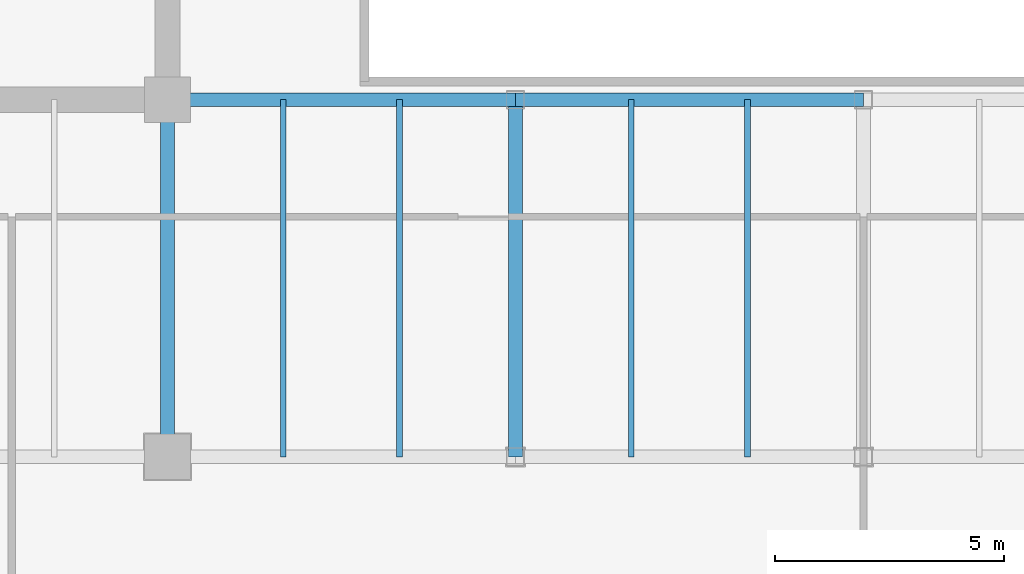
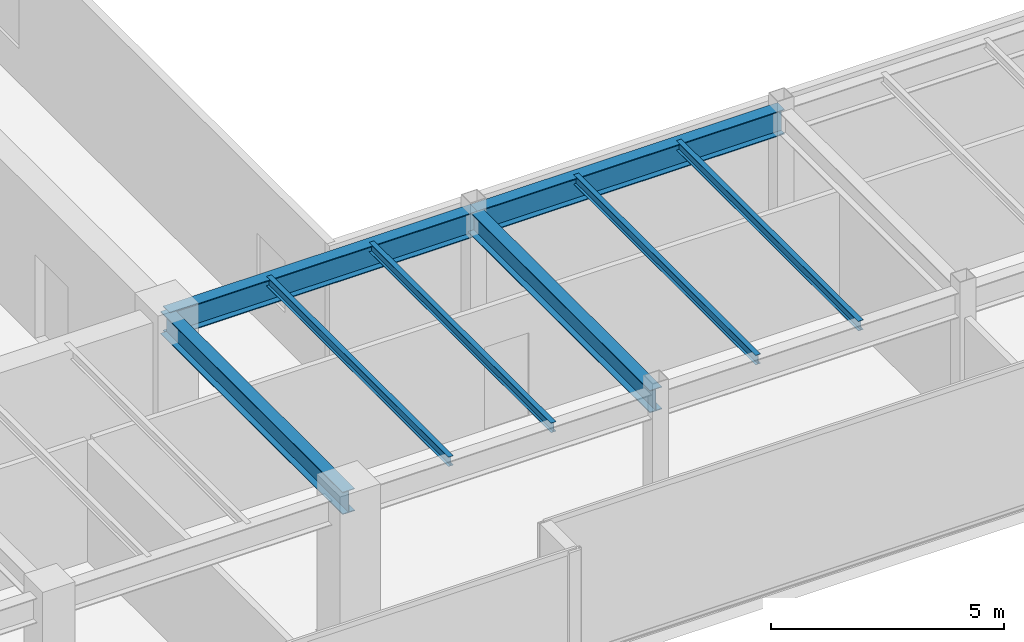
# One storey, part 8 of 36: 8 beams.
"""IFC4 building model written with IfcOpenShell, lengths in metres."""

from ifc_helpers import new_model, si_unit, direction, frame, origin, origin_2d, place, context, subcontext, project, spatial, i_section, extrude, source, transform, mapped, material, material_profile, profile_set, type_object, type_shapes, element, save


model = new_model("IFC4")

# Units and contexts
model_context = context("Model", 3, precision=1e-05, world=origin(), true_north=direction((0.0, 1.0)))
body_context = subcontext(model_context, "Body", "Model", "MODEL_VIEW")
ifc_project = project(units=[si_unit("LENGTHUNIT", "METRE"), si_unit("AREAUNIT", "SQUARE_METRE"), si_unit("VOLUMEUNIT", "CUBIC_METRE"), si_unit("PLANEANGLEUNIT", "RADIAN"), si_unit("MASSUNIT", "GRAM", prefix="KILO")], contexts=[model_context])

# Site, building, storey
site_placement = place(None, origin())
site = spatial("IfcSite", under=ifc_project, at=site_placement, CompositionType="ELEMENT")
building_placement = place(site_placement, origin())
building = spatial("IfcBuilding", under=site, at=building_placement, Name="Haelvirn Gate Laboratories", CompositionType="ELEMENT")
storey_placement = place(building_placement, frame((0.0, 0.0, 254.699951171875)))
storey = spatial("IfcBuildingStorey", under=building, at=storey_placement, Name="L61", CompositionType="ELEMENT", Elevation=254.699951171875)

# Beams
ifc_material = material(Name="Steel SM355", Category="steel")
ifc_material_profile_1 = material_profile(ifc_material, i_section(OverallWidth=0.300048828125, OverallDepth=0.587890625, WebThickness=0.011962890625, FlangeThickness=0.02001953125, at=origin_2d()), Name="H-588x300x12x20")
ifc_profile_set_1 = profile_set([ifc_material_profile_1], Name="Steel SM355")
beam_type_1 = type_object("IfcBeamType", Name="BM-G-588", PredefinedType="BEAM", material=ifc_profile_set_1)
shared_shape_1 = source(origin(), body_context, "Body", "SweptSolid", [
    extrude(i_section(OverallWidth=0.300048828125, OverallDepth=0.587890625, WebThickness=0.011962890625, FlangeThickness=0.02001953125, at=origin_2d()), origin(), (0.0, 0.0, 1.0), 7.800048828125),
])
type_shapes(beam_type_1, [shared_shape_1])
for number, where, z_axis, x_axis, name in (
    (1, (22.199951171875, 7.0, 3.506103515625), (0.0, 1.0, 0.0), (-1.0, 0.0, 0.0), "L61 Frame Girder X22.2 (7.0-14.8)"),
    (2, (29.800048828125, 7.0, 3.506103515625), (0.0, 1.0, 0.0), (-1.0, 0.0, 0.0), "L61 Frame Girder X29.8 (7.0-14.8)"),
):
    element("IfcBeam", number, at=place(storey_placement, frame(where, z_axis=z_axis, x_axis=x_axis)), inside=storey, type_object=beam_type_1, Name=name, PredefinedType="BEAM", context=body_context, shape_type="MappedRepresentation", body=[
        mapped(shared_shape_1, transform((0.0, 0.0, 0.0), scale=1.0)),
    ])
ifc_material_profile_2 = material_profile(ifc_material, i_section(OverallWidth=0.300048828125, OverallDepth=0.64990234375, WebThickness=0.012939453125, FlangeThickness=0.02197265625, at=origin_2d()), Name="H-650x300x13x22")
ifc_profile_set_2 = profile_set([ifc_material_profile_2], Name="Steel SM355")
beam_type_2 = type_object("IfcBeamType", Name="BM-G-650", PredefinedType="BEAM", material=ifc_profile_set_2)
shared_shape_2 = source(origin(), body_context, "Body", "SweptSolid", [
    extrude(i_section(OverallWidth=0.300048828125, OverallDepth=0.64990234375, WebThickness=0.012939453125, FlangeThickness=0.02197265625, at=origin_2d()), origin(), (0.0, 0.0, 1.0), 7.60009765625),
])
beam_1_placement = place(storey_placement, frame((22.199951171875, 14.800048828125, 3.47509765625), z_axis=(1.0, 0.0, 0.0), x_axis=(0.0, 1.0, 0.0)))
element("IfcBeam", 3, at=beam_1_placement, inside=storey, type_object=beam_type_2, Name="L61 Primary Girder Y14.8 (22.2-29.8)", PredefinedType="BEAM", context=body_context, shape_type="MappedRepresentation", body=[
    mapped(shared_shape_2, transform((0.0, 0.0, 0.0), scale=1.0)),
])
shared_shape_3 = source(origin(), body_context, "Body", "SweptSolid", [
    extrude(i_section(OverallWidth=0.300048828125, OverallDepth=0.64990234375, WebThickness=0.012939453125, FlangeThickness=0.02197265625, at=origin_2d()), origin(), (0.0, 0.0, 1.0), 7.599853515625),
])
type_shapes(beam_type_2, [shared_shape_2, shared_shape_3])
beam_2_placement = place(storey_placement, frame((29.800048828125, 14.800048828125, 3.47509765625), z_axis=(1.0, 0.0, 0.0), x_axis=(0.0, 1.0, 0.0)))
element("IfcBeam", 4, at=beam_2_placement, inside=storey, type_object=beam_type_2, Name="L61 Primary Girder Y14.8 (29.8-37.4)", PredefinedType="BEAM", context=body_context, shape_type="MappedRepresentation", body=[
    mapped(shared_shape_3, transform((0.0, 0.0, 0.0), scale=1.0)),
])
ifc_material_profile_3 = material_profile(ifc_material, i_section(OverallWidth=0.125, OverallDepth=0.25, WebThickness=0.006103515625, FlangeThickness=0.009033203125, at=origin_2d()), Name="H-250x125x6x9")
ifc_profile_set_3 = profile_set([ifc_material_profile_3], Name="Steel SM355")
beam_type_3 = type_object("IfcBeamType", Name="BM-J-250", PredefinedType="JOIST", material=ifc_profile_set_3)
shared_shape_4 = source(origin(), body_context, "Body", "SweptSolid", [
    extrude(i_section(OverallWidth=0.125, OverallDepth=0.25, WebThickness=0.006103515625, FlangeThickness=0.009033203125, at=origin_2d()), origin(), (0.0, 0.0, 1.0), 7.800048828125),
])
type_shapes(beam_type_3, [shared_shape_4])
for number, where, z_axis, x_axis, name in (
    (5, (24.72998046875, 7.0, 3.675048828125), (0.0, 1.0, 0.0), (-1.0, 0.0, 0.0), "L61 Composite Lab Joist South X24.73"),
    (6, (27.27001953125, 7.0, 3.675048828125), (0.0, 1.0, 0.0), (-1.0, 0.0, 0.0), "L61 Composite Lab Joist South X27.27"),
    (7, (32.330078125, 7.0, 3.675048828125), (0.0, 1.0, 0.0), (-1.0, 0.0, 0.0), "L61 Composite Lab Joist South X32.33"),
    (8, (34.8701171875, 7.0, 3.675048828125), (0.0, 1.0, 0.0), (-1.0, 0.0, 0.0), "L61 Composite Lab Joist South X34.87"),
):
    element("IfcBeam", number, at=place(storey_placement, frame(where, z_axis=z_axis, x_axis=x_axis)), inside=storey, type_object=beam_type_3, Name=name, PredefinedType="JOIST", context=body_context, shape_type="MappedRepresentation", body=[
        mapped(shared_shape_4, transform((0.0, 0.0, 0.0), scale=1.0)),
    ])

save(model, "model.ifc")
